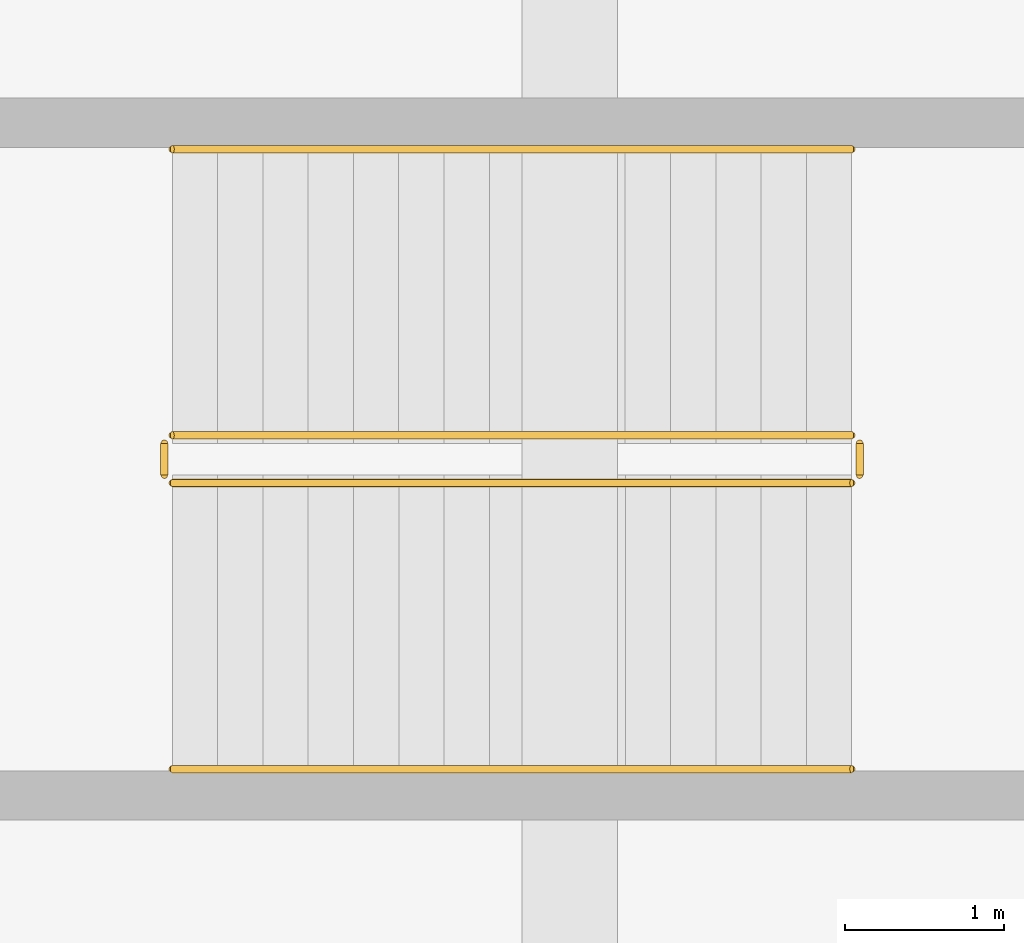
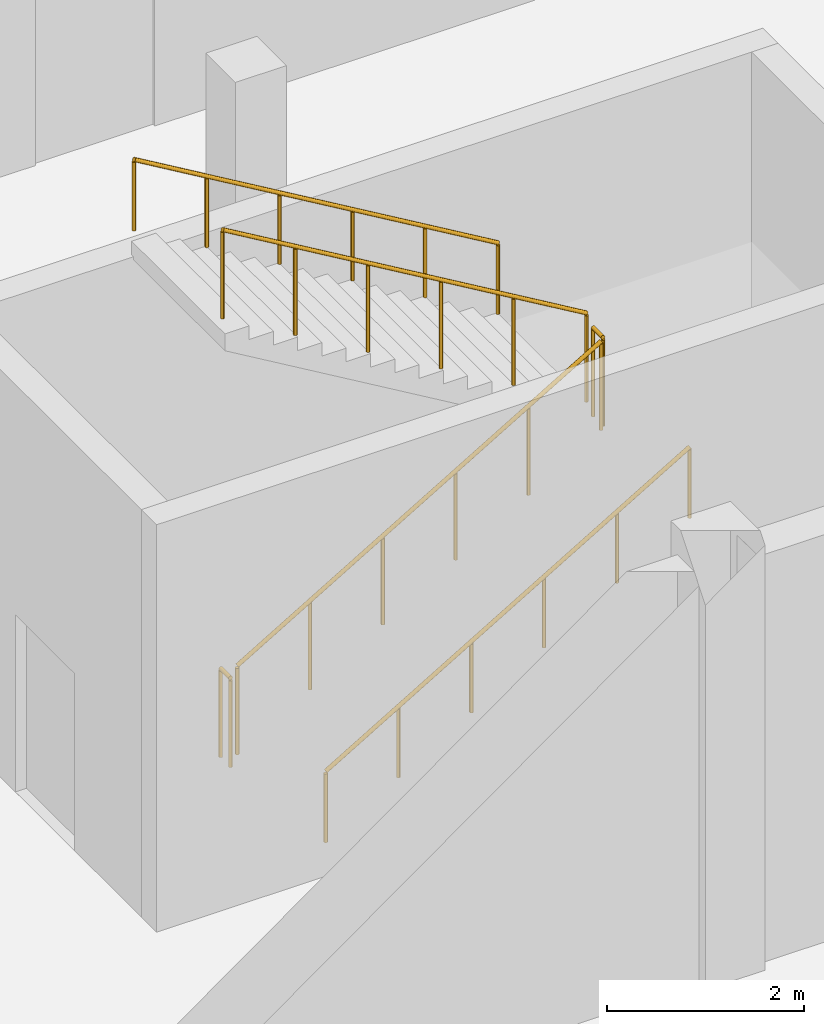
# One storey, part 31 of 41: 6 railings.
"""IFC4 building model written with IfcOpenShell, lengths in metres."""

from ifc_helpers import new_model, si_unit, direction, frame, origin, origin_2d, place, context, subcontext, project, spatial, circle, extrude, material, type_object, element, save


model = new_model("IFC4")

# Units and contexts
model_context = context("Model", 3, precision=1e-05, world=origin(), true_north=direction((0.0, 1.0)))
body_context = subcontext(model_context, "Body", "Model", "MODEL_VIEW")
ifc_project = project(units=[si_unit("LENGTHUNIT", "METRE"), si_unit("AREAUNIT", "SQUARE_METRE"), si_unit("VOLUMEUNIT", "CUBIC_METRE"), si_unit("PLANEANGLEUNIT", "RADIAN"), si_unit("MASSUNIT", "GRAM", prefix="KILO")], contexts=[model_context])

# Site, building, storey
site_placement = place(None, origin())
site = spatial("IfcSite", under=ifc_project, at=site_placement, CompositionType="ELEMENT")
building_placement = place(site_placement, origin())
building = spatial("IfcBuilding", under=site, at=building_placement, Name="Shalvenor Court Art Gallery", CompositionType="ELEMENT")
storey_placement = place(building_placement, frame((0.0, 0.0, -5.39990234375)))
storey = spatial("IfcBuildingStorey", under=building, at=storey_placement, Name="B01", CompositionType="ELEMENT", Elevation=-5.39990234375)

# Railings
ifc_material_1 = material(Name="Painted steel post-and-rail guard", Category="steel")
railing_type_1 = type_object("IfcRailingType", Name="GR-02", PredefinedType="GUARDRAIL", material=ifc_material_1)
railing_1_placement = place(storey_placement, frame((7.10009765625, 5.449951171875, 0.168701171875)))
element("IfcRailing", 1, at=railing_1_placement, inside=storey, type_object=railing_type_1, Name="B01 ST-07 Stair Guard 1", PredefinedType="GUARDRAIL", context=body_context, shape_type="SweptSolid", body=[
    extrude(circle(Radius=0.02392578125, at=origin_2d()), frame((0.0, 0.0, 1.09619140625), z_axis=(0.860470286479, 0.0, 0.509500624227), x_axis=(0.0, 1.0, 0.0)), (0.0, 0.0, 1.0), 4.968017578125),
    extrude(circle(Radius=0.02099609375, at=origin_2d()), origin(), (0.0, 0.0, 1.0), 1.072021484375),
    extrude(circle(Radius=0.02099609375, at=origin_2d()), frame((0.85498046875, 0.0, 0.50634765625)), (0.0, 0.0, 1.0), 1.072021484375),
    extrude(circle(Radius=0.02099609375, at=origin_2d()), frame((1.7099609375, 0.0, 1.012451171875)), (0.0, 0.0, 1.0), 1.072021484375),
    extrude(circle(Radius=0.02099609375, at=origin_2d()), frame((2.56494140625, 0.0, 1.518798828125)), (0.0, 0.0, 1.0), 1.072021484375),
    extrude(circle(Radius=0.02099609375, at=origin_2d()), frame((3.419921875, 0.0, 2.02490234375)), (0.0, 0.0, 1.0), 1.072021484375),
    extrude(circle(Radius=0.02099609375, at=origin_2d()), frame((4.27490234375, 0.0, 2.53125)), (0.0, 0.0, 1.0), 1.072021484375),
])
railing_2_placement = place(storey_placement, frame((11.425048828125, 5.5, 2.699951171875)))
element("IfcRailing", 2, at=railing_2_placement, inside=storey, type_object=railing_type_1, Name="B01 ST-07 Stair Guard 2", PredefinedType="GUARDRAIL", context=body_context, shape_type="SweptSolid", body=[
    extrude(circle(Radius=0.02392578125, at=origin_2d()), frame((0.0, 0.0, 1.09619140625), z_axis=(0.0, 1.0, 0.0), x_axis=(-1.0, 0.0, 0.0)), (0.0, 0.0, 1.0), 0.199951171875),
    extrude(circle(Radius=0.02099609375, at=origin_2d()), origin(), (0.0, 0.0, 1.0), 1.072021484375),
    extrude(circle(Radius=0.02099609375, at=origin_2d()), frame((0.0, 0.199951171875, 0.0)), (0.0, 0.0, 1.0), 1.072021484375),
])
railing_3_placement = place(storey_placement, frame((11.375, 5.75, 2.86865234375)))
element("IfcRailing", 3, at=railing_3_placement, inside=storey, type_object=railing_type_1, Name="B01 ST-07 Stair Guard 3", PredefinedType="GUARDRAIL", context=body_context, shape_type="SweptSolid", body=[
    extrude(circle(Radius=0.02392578125, at=origin_2d()), frame((0.0, 0.0, 1.09619140625), z_axis=(-0.860470286479, 0.0, 0.509500624227), x_axis=(0.0, -1.0, 0.0)), (0.0, 0.0, 1.0), 4.968017578125),
    extrude(circle(Radius=0.02099609375, at=origin_2d()), origin(), (0.0, 0.0, 1.0), 1.072021484375),
    extrude(circle(Radius=0.02099609375, at=origin_2d()), frame((-0.85498046875, 0.0, 0.50634765625)), (0.0, 0.0, 1.0), 1.072021484375),
    extrude(circle(Radius=0.02099609375, at=origin_2d()), frame((-1.7099609375, 0.0, 1.012451171875)), (0.0, 0.0, 1.0), 1.072021484375),
    extrude(circle(Radius=0.02099609375, at=origin_2d()), frame((-2.56494140625, 0.0, 1.518798828125)), (0.0, 0.0, 1.0), 1.072021484375),
    extrude(circle(Radius=0.02099609375, at=origin_2d()), frame((-3.419921875, 0.0, 2.02490234375)), (0.0, 0.0, 1.0), 1.072021484375),
    extrude(circle(Radius=0.02099609375, at=origin_2d()), frame((-4.27490234375, 0.0, 2.53125)), (0.0, 0.0, 1.0), 1.072021484375),
])
railing_4_placement = place(storey_placement, frame((7.050048828125, 5.5, 0.0)))
element("IfcRailing", 4, at=railing_4_placement, inside=storey, type_object=railing_type_1, Name="B01 ST-07 Stair Guard 4", PredefinedType="GUARDRAIL", context=body_context, shape_type="SweptSolid", body=[
    extrude(circle(Radius=0.02392578125, at=origin_2d()), frame((0.0, 0.0, 1.09619140625), z_axis=(0.0, 1.0, 0.0), x_axis=(-1.0, 0.0, 0.0)), (0.0, 0.0, 1.0), 0.199951171875),
    extrude(circle(Radius=0.02099609375, at=origin_2d()), origin(), (0.0, 0.0, 1.0), 1.072021484375),
    extrude(circle(Radius=0.02099609375, at=origin_2d()), frame((0.0, 0.199951171875, 0.0)), (0.0, 0.0, 1.0), 1.072021484375),
])
ifc_material_2 = material(Name="Brushed stainless steel handrail", Category="steel")
railing_type_2 = type_object("IfcRailingType", Name="HR-01", PredefinedType="HANDRAIL", material=ifc_material_2)
railing_5_placement = place(storey_placement, frame((7.10009765625, 3.64990234375, 0.168701171875)))
element("IfcRailing", 5, at=railing_5_placement, inside=storey, type_object=railing_type_2, Name="B01 ST-07 Stair Handrail 1", PredefinedType="HANDRAIL", context=body_context, shape_type="SweptSolid", body=[
    extrude(circle(Radius=0.02392578125, at=origin_2d()), frame((0.0, 0.0, 0.8759765625), z_axis=(0.860470286479, 0.0, 0.509500624227), x_axis=(0.0, 1.0, 0.0)), (0.0, 0.0, 1.0), 4.968017578125),
    extrude(circle(Radius=0.02099609375, at=origin_2d()), origin(), (0.0, 0.0, 1.0), 0.851806640625),
    extrude(circle(Radius=0.02099609375, at=origin_2d()), frame((0.85498046875, 0.0, 0.50634765625)), (0.0, 0.0, 1.0), 0.851806640625),
    extrude(circle(Radius=0.02099609375, at=origin_2d()), frame((1.7099609375, 0.0, 1.012451171875)), (0.0, 0.0, 1.0), 0.851806640625),
    extrude(circle(Radius=0.02099609375, at=origin_2d()), frame((2.56494140625, 0.0, 1.518798828125)), (0.0, 0.0, 1.0), 0.851806640625),
    extrude(circle(Radius=0.02099609375, at=origin_2d()), frame((3.419921875, 0.0, 2.02490234375)), (0.0, 0.0, 1.0), 0.851806640625),
    extrude(circle(Radius=0.02099609375, at=origin_2d()), frame((4.27490234375, 0.0, 2.53125)), (0.0, 0.0, 1.0), 0.851806640625),
])
railing_6_placement = place(storey_placement, frame((11.375, 7.550048828125, 2.86865234375)))
element("IfcRailing", 6, at=railing_6_placement, inside=storey, type_object=railing_type_2, Name="B01 ST-07 Stair Handrail 2", PredefinedType="HANDRAIL", context=body_context, shape_type="SweptSolid", body=[
    extrude(circle(Radius=0.02392578125, at=origin_2d()), frame((0.0, 0.0, 0.8759765625), z_axis=(-0.860470286479, 0.0, 0.509500624227), x_axis=(0.0, -1.0, 0.0)), (0.0, 0.0, 1.0), 4.968017578125),
    extrude(circle(Radius=0.02099609375, at=origin_2d()), origin(), (0.0, 0.0, 1.0), 0.851806640625),
    extrude(circle(Radius=0.02099609375, at=origin_2d()), frame((-0.85498046875, 0.0, 0.50634765625)), (0.0, 0.0, 1.0), 0.851806640625),
    extrude(circle(Radius=0.02099609375, at=origin_2d()), frame((-1.7099609375, 0.0, 1.012451171875)), (0.0, 0.0, 1.0), 0.851806640625),
    extrude(circle(Radius=0.02099609375, at=origin_2d()), frame((-2.56494140625, 0.0, 1.518798828125)), (0.0, 0.0, 1.0), 0.851806640625),
    extrude(circle(Radius=0.02099609375, at=origin_2d()), frame((-3.419921875, 0.0, 2.02490234375)), (0.0, 0.0, 1.0), 0.851806640625),
    extrude(circle(Radius=0.02099609375, at=origin_2d()), frame((-4.27490234375, 0.0, 2.53125)), (0.0, 0.0, 1.0), 0.851806640625),
])

save(model, "model.ifc")
